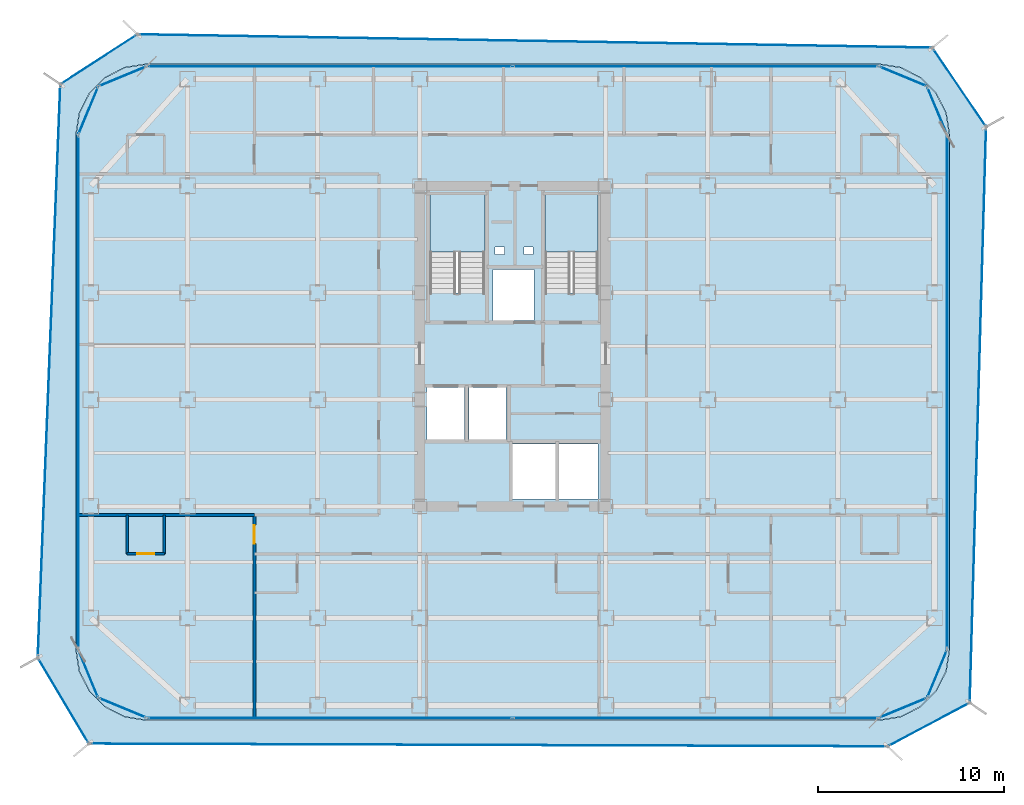
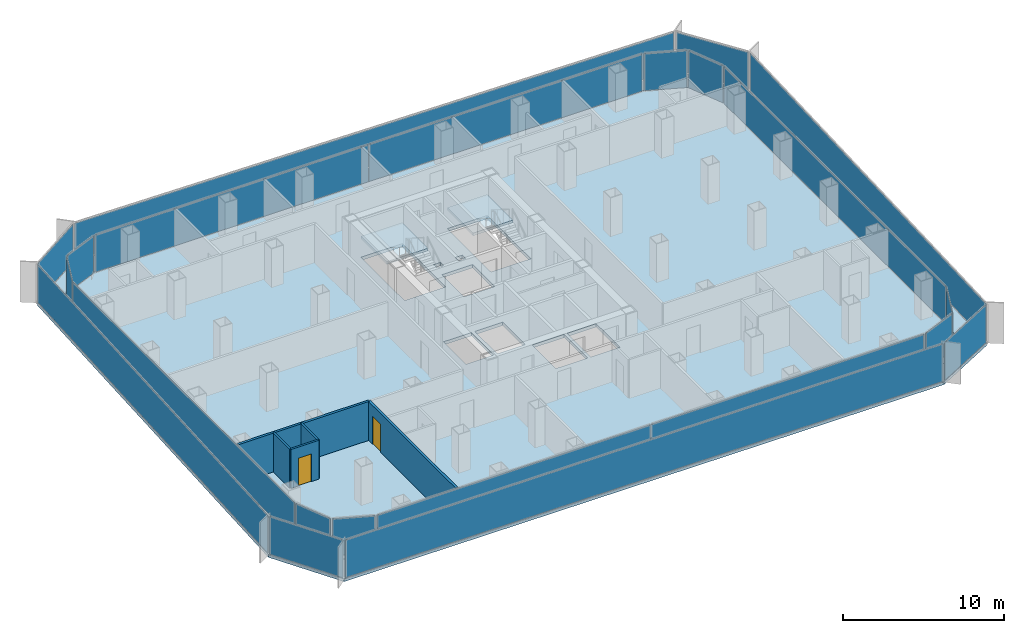
# One storey, part 15 of 21: 22 plates, 5 walls, 4 slabs, 2 doors, 2 openings, 22 elements without a shape of their own.
"""IFC4 building model written with IfcOpenShell, lengths in metres."""

from ifc_helpers import new_model, si_unit, direction, frame, frame_2d, origin, origin_2d, place, context, subcontext, project, spatial, polyline, rectangle, outline, extrude, source, transform, mapped, material, layer, layer_set, type_object, element, fill, aggregate, save


model = new_model("IFC4")

# Units and contexts
model_context = context("Model", 3, precision=1e-05, world=origin(), true_north=direction((0.0, 1.0)))
body_context = subcontext(model_context, "Body", "Model", "MODEL_VIEW")
ifc_project = project(units=[si_unit("LENGTHUNIT", "METRE"), si_unit("AREAUNIT", "SQUARE_METRE"), si_unit("VOLUMEUNIT", "CUBIC_METRE"), si_unit("PLANEANGLEUNIT", "RADIAN"), si_unit("MASSUNIT", "GRAM", prefix="KILO")], contexts=[model_context])

# Site, building, storey
site_placement = place(None, origin())
site = spatial("IfcSite", under=ifc_project, at=site_placement, CompositionType="ELEMENT")
building_placement = place(site_placement, origin())
building = spatial("IfcBuilding", under=site, at=building_placement, Name="Kolveth Station Tower", CompositionType="ELEMENT")
storey_placement = place(building_placement, frame((0.0, 0.0, 124.699951171875)))
storey = spatial("IfcBuildingStorey", under=building, at=storey_placement, Name="L34", CompositionType="ELEMENT", Elevation=124.699951171875)

# Slab
ifc_material_1 = material(Name="Concrete C40/50", Category="concrete")
ifc_layer_1 = layer(ifc_material_1, 0.25)
ifc_layer_set_1 = layer_set([ifc_layer_1], Name="Concrete C40/50")
slab_type_1 = type_object("IfcSlabType", Name="Slab_SF-250", PredefinedType="FLOOR", material=ifc_layer_set_1)
slab_1_placement = place(storey_placement, frame((0.0, 0.0, -0.25)))
element("IfcSlab", 1, at=slab_1_placement, inside=storey, type_object=slab_type_1, Name="L34 Tower Structural Floor Slab", PredefinedType="FLOOR", context=body_context, shape_type="SweptSolid", body=[
    extrude(outline(polyline([(43.199951171875, 0.0), (44.374267578125, 0.18603515625), (45.43359375, 0.7255859375), (46.2744140625, 1.56640625), (46.81396484375, 2.625732421875), (47.0, 3.800048828125), (47.0, 31.5), (46.81396484375, 32.67431640625), (46.2744140625, 33.733642578125), (45.43359375, 34.57421875), (44.374267578125, 35.114013671875), (43.199951171875, 35.300048828125), (3.800048828125, 35.300048828125), (2.625732421875, 35.114013671875), (1.56640625, 34.57421875), (0.7255859375, 33.733642578125), (0.18603515625, 32.67431640625), (0.0, 31.5), (0.0, 3.800048828125), (0.18603515625, 2.625732421875), (0.7255859375, 1.56640625), (1.56640625, 0.7255859375), (2.625732421875, 0.18603515625), (3.800048828125, 0.0), (43.199951171875, 0.0)]), holes=[polyline([(19.0400390625, 22.985107421875), (22.0, 22.985107421875), (22.0, 28.39990234375), (19.0400390625, 28.39990234375), (19.0400390625, 22.985107421875)]), polyline([(25.239990234375, 22.985107421875), (28.10009765625, 22.985107421875), (28.10009765625, 28.39990234375), (25.239990234375, 28.39990234375), (25.239990234375, 22.985107421875)]), polyline([(18.89990234375, 15.10009765625), (20.89990234375, 15.10009765625), (20.89990234375, 17.89990234375), (18.89990234375, 17.89990234375), (18.89990234375, 15.10009765625)]), polyline([(21.14990234375, 15.10009765625), (23.14990234375, 15.10009765625), (23.14990234375, 17.89990234375), (21.14990234375, 17.89990234375), (21.14990234375, 15.10009765625)]), polyline([(22.449951171875, 21.5), (24.64990234375, 21.5), (24.64990234375, 24.25), (22.449951171875, 24.25), (22.449951171875, 21.5)]), polyline([(23.5, 11.89990234375), (25.800048828125, 11.89990234375), (25.800048828125, 14.85009765625), (23.5, 14.85009765625), (23.5, 11.89990234375)]), polyline([(26.0, 11.89990234375), (28.10009765625, 11.89990234375), (28.10009765625, 14.85009765625), (26.0, 14.85009765625), (26.0, 11.89990234375)]), polyline([(22.550048828125, 25.050048828125), (23.050048828125, 25.050048828125), (23.050048828125, 25.449951171875), (22.550048828125, 25.449951171875), (22.550048828125, 25.050048828125)]), polyline([(24.10009765625, 25.050048828125), (24.60009765625, 25.050048828125), (24.60009765625, 25.449951171875), (24.10009765625, 25.449951171875), (24.10009765625, 25.050048828125)])]), origin(), (0.0, 0.0, 1.0), 0.25),
])

# Stair, slab
stair_type_1 = type_object("IfcStairType", Name="Stair_ST2", PredefinedType="HALF_TURN_STAIR", material=ifc_material_1)
stair_1_placement = place(storey_placement, origin())
stair_1 = element("IfcStair", 2, at=stair_1_placement, inside=storey, type_object=stair_type_1, Name="L34 Tower Exit Stair ST2", PredefinedType="HALF_TURN_STAIR")
ifc_layer_2 = layer(ifc_material_1, 0.18994140625)
ifc_layer_set_2 = layer_set([ifc_layer_2], Name="Concrete C40/50")
slab_type_2 = type_object("IfcSlabType", Name="Slab_SL-190", PredefinedType="LANDING", material=ifc_layer_set_2)
slab_2_placement = place(storey_placement, frame((0.0, 0.0, 1.400146484375)))
slab_2 = element("IfcSlab", 3, at=slab_2_placement, type_object=slab_type_2, Name="ST2 landing 1", PredefinedType="LANDING", context=body_context, shape_type="SweptSolid", body=[
    extrude(outline(polyline([(28.10009765625, 25.18994140625), (28.10009765625, 28.39990234375), (25.239990234375, 28.39990234375), (25.239990234375, 25.18994140625), (28.10009765625, 25.18994140625)])), origin(), (0.0, 0.0, 1.0), 0.199951171875),
])
aggregate(stair_1, [slab_2])

stair_type_2 = type_object("IfcStairType", Name="Stair_ST1", PredefinedType="HALF_TURN_STAIR", material=ifc_material_1)
stair_2_placement = place(storey_placement, origin())
stair_2 = element("IfcStair", 4, at=stair_2_placement, inside=storey, type_object=stair_type_2, Name="L34 Tower Exit Stair ST1", PredefinedType="HALF_TURN_STAIR")
ifc_layer_3 = layer(ifc_material_1, 0.205078125)
ifc_layer_set_3 = layer_set([ifc_layer_3], Name="Concrete C40/50")
slab_type_3 = type_object("IfcSlabType", Name="Slab_SL-205", PredefinedType="LANDING", material=ifc_layer_set_3)
slab_3_placement = place(storey_placement, frame((0.0, 0.0, 1.400146484375)))
slab_3 = element("IfcSlab", 5, at=slab_3_placement, type_object=slab_type_3, Name="ST1 landing 1", PredefinedType="LANDING", context=body_context, shape_type="SweptSolid", body=[
    extrude(outline(polyline([(22.0, 25.18994140625), (22.0, 28.39990234375), (19.0400390625, 28.39990234375), (19.0400390625, 25.18994140625), (22.0, 25.18994140625)])), origin(), (0.0, 0.0, 1.0), 0.199951171875),
])
aggregate(stair_2, [slab_3])

# Slab
ifc_layer_4 = layer(ifc_material_1, 0.2099609375)
ifc_layer_set_4 = layer_set([ifc_layer_4], Name="Concrete C40/50")
slab_type_4 = type_object("IfcSlabType", Name="Slab_ST-210", PredefinedType="FLOOR", material=ifc_layer_set_4)
slab_4_placement = place(storey_placement, frame((0.0, 0.0, -0.2099609375)))
element("IfcSlab", 6, at=slab_4_placement, inside=storey, type_object=slab_type_4, Name="L34 Double-Skin Cavity Structural Ledger Ring", PredefinedType="FLOOR", context=body_context, shape_type="SweptSolid", body=[
    extrude(outline(polyline([(0.694091796875, -1.26708984375), (-2.0556640625, 3.361572265625), (-0.840576171875, 34.2177734375), (3.30419921875, 36.903076171875), (46.089599609375, 36.187744140625), (48.978271484375, 31.9287109375), (48.09814453125, 0.93408203125), (43.672607421875, -1.414794921875), (0.694091796875, -1.26708984375)]), holes=[polyline([(43.202392578125, -0.014892578125), (44.376708984375, 0.171142578125), (44.381103515625, 0.172607421875), (45.4404296875, 0.71240234375), (45.444091796875, 0.715087890625), (46.284912109375, 1.555908203125), (46.28759765625, 1.5595703125), (46.827392578125, 2.618896484375), (46.828857421875, 2.623291015625), (47.014892578125, 3.797607421875), (47.014892578125, 3.800048828125), (47.014892578125, 31.5), (47.014892578125, 31.502197265625), (46.828857421875, 32.676513671875), (46.827392578125, 32.68115234375), (46.28759765625, 33.740478515625), (46.284912109375, 33.744140625), (45.444091796875, 34.5849609375), (45.4404296875, 34.587646484375), (44.381103515625, 35.12744140625), (44.376708984375, 35.12890625), (43.202392578125, 35.314697265625), (43.199951171875, 35.31494140625), (3.800048828125, 35.31494140625), (3.797607421875, 35.314697265625), (2.623291015625, 35.12890625), (2.618896484375, 35.12744140625), (1.5595703125, 34.587646484375), (1.555908203125, 34.5849609375), (0.715087890625, 33.744140625), (0.71240234375, 33.740478515625), (0.172607421875, 32.68115234375), (0.171142578125, 32.676513671875), (-0.014892578125, 31.502197265625), (-0.014892578125, 31.5), (-0.014892578125, 3.800048828125), (-0.014892578125, 3.797607421875), (0.171142578125, 2.623291015625), (0.172607421875, 2.618896484375), (0.71240234375, 1.5595703125), (0.715087890625, 1.555908203125), (1.555908203125, 0.715087890625), (1.5595703125, 0.71240234375), (2.618896484375, 0.172607421875), (2.623291015625, 0.171142578125), (3.797607421875, -0.014892578125), (3.800048828125, -0.014892578125), (43.199951171875, -0.014892578125), (43.202392578125, -0.014892578125)])]), origin(), (0.0, 0.0, 1.0), 0.2099609375),
])

# Curtain wall, plate
ifc_material_2 = material(Name="Aluminium 6063-T6 and low-E dark glass", Category="aluminium")
ifc_layer_5 = layer(ifc_material_2, 0.18994140625)
ifc_layer_set_5 = layer_set([ifc_layer_5], Name="Aluminium 6063-T6 and low-E dark glass")
curtain_wall_type_1 = type_object("IfcCurtainWallType", Name="CurtainWall_CW-Z2", PredefinedType="NOTDEFINED", material=ifc_layer_set_5)
curtain_wall_1_placement = place(storey_placement, origin())
curtain_wall_1 = element("IfcCurtainWall", 7, at=curtain_wall_1_placement, inside=storey, type_object=curtain_wall_type_1, Name="L34 Inner Thermal Curtain Wall 1", PredefinedType="NOTDEFINED")
ifc_material_3 = material(Name="Architectural low-E dark glass", Category="glass")
ifc_layer_6 = layer(ifc_material_3, 0.0380859375)
ifc_layer_set_6 = layer_set([ifc_layer_6], Name="Architectural low-E dark glass")
plate_type_1 = type_object("IfcPlateType", Name="Panel_GL2", PredefinedType="CURTAIN_PANEL", material=ifc_layer_set_6)
shared_shape_1 = source(origin(), body_context, "Body", "SweptSolid", [
    extrude(rectangle(XDim=2.670654296875, YDim=0.0380859375, at=origin_2d()), origin(), (0.0, 0.0, 1.0), 2.803955078125),
])
plate_1_placement = place(storey_placement, frame((44.501220703125, 0.658935546875, 0.0732421875), z_axis=(0.0, 0.0, 1.0), x_axis=(0.923887883787, 0.38266326998, 0.0)))
plate_1 = element("IfcPlate", 8, at=plate_1_placement, type_object=plate_type_1, Name="CW-Z2 panel 1.1", PredefinedType="CURTAIN_PANEL", context=body_context, shape_type="MappedRepresentation", body=[
    mapped(shared_shape_1, transform((0.0, 0.0, 0.0), x_axis=(1.0, 0.0, 0.0), y_axis=(0.0, 1.0, 0.0), z_axis=(0.0, 0.0, 1.0), scale=1.0)),
])
aggregate(curtain_wall_1, [plate_1])

curtain_wall_2_placement = place(storey_placement, origin())
curtain_wall_2 = element("IfcCurtainWall", 9, at=curtain_wall_2_placement, inside=storey, type_object=curtain_wall_type_1, Name="L34 Inner Thermal Curtain Wall 2", PredefinedType="NOTDEFINED")
plate_2_placement = place(storey_placement, frame((46.341064453125, 2.498779296875, 0.0732421875), z_axis=(0.0, 0.0, 1.0), x_axis=(0.38266326998, 0.923887883787, 0.0)))
plate_2 = element("IfcPlate", 10, at=plate_2_placement, type_object=plate_type_1, Name="CW-Z2 panel 1.1", PredefinedType="CURTAIN_PANEL", context=body_context, shape_type="MappedRepresentation", body=[
    mapped(shared_shape_1, transform((0.0, 0.0, 0.0), x_axis=(1.0, 0.0, 0.0), y_axis=(0.0, 1.0, 0.0), z_axis=(0.0, 0.0, 1.0), scale=1.0)),
])
aggregate(curtain_wall_2, [plate_2])

curtain_wall_3_placement = place(storey_placement, origin())
curtain_wall_3 = element("IfcCurtainWall", 11, at=curtain_wall_3_placement, inside=storey, type_object=curtain_wall_type_1, Name="L34 Inner Thermal Curtain Wall 4", PredefinedType="NOTDEFINED")
plate_3_placement = place(storey_placement, frame((46.341064453125, 32.801025390625, 0.0732421875), z_axis=(0.0, 0.0, 1.0), x_axis=(-0.38266326998, 0.923887883787, 0.0)))
plate_3 = element("IfcPlate", 12, at=plate_3_placement, type_object=plate_type_1, Name="CW-Z2 panel 1.1", PredefinedType="CURTAIN_PANEL", context=body_context, shape_type="MappedRepresentation", body=[
    mapped(shared_shape_1, transform((0.0, 0.0, 0.0), x_axis=(1.0, 0.0, 0.0), y_axis=(0.0, 1.0, 0.0), z_axis=(0.0, 0.0, 1.0), scale=1.0)),
])
aggregate(curtain_wall_3, [plate_3])

curtain_wall_4_placement = place(storey_placement, origin())
curtain_wall_4 = element("IfcCurtainWall", 13, at=curtain_wall_4_placement, inside=storey, type_object=curtain_wall_type_1, Name="L34 Inner Thermal Curtain Wall 5", PredefinedType="NOTDEFINED")
plate_4_placement = place(storey_placement, frame((44.501220703125, 34.64111328125, 0.0732421875), z_axis=(0.0, 0.0, 1.0), x_axis=(-0.923887883787, 0.38266326998, 0.0)))
plate_4 = element("IfcPlate", 14, at=plate_4_placement, type_object=plate_type_1, Name="CW-Z2 panel 1.1", PredefinedType="CURTAIN_PANEL", context=body_context, shape_type="MappedRepresentation", body=[
    mapped(shared_shape_1, transform((0.0, 0.0, 0.0), x_axis=(1.0, 0.0, 0.0), y_axis=(0.0, 1.0, 0.0), z_axis=(0.0, 0.0, 1.0), scale=1.0)),
])
aggregate(curtain_wall_4, [plate_4])

curtain_wall_5_placement = place(storey_placement, origin())
curtain_wall_5 = element("IfcCurtainWall", 15, at=curtain_wall_5_placement, inside=storey, type_object=curtain_wall_type_1, Name="L34 Inner Thermal Curtain Wall 7", PredefinedType="NOTDEFINED")
plate_5_placement = place(storey_placement, frame((2.498779296875, 34.64111328125, 0.0732421875), z_axis=(0.0, 0.0, 1.0), x_axis=(-0.923887883787, -0.38266326998, 0.0)))
plate_5 = element("IfcPlate", 16, at=plate_5_placement, type_object=plate_type_1, Name="CW-Z2 panel 1.1", PredefinedType="CURTAIN_PANEL", context=body_context, shape_type="MappedRepresentation", body=[
    mapped(shared_shape_1, transform((0.0, 0.0, 0.0), x_axis=(1.0, 0.0, 0.0), y_axis=(0.0, 1.0, 0.0), z_axis=(0.0, 0.0, 1.0), scale=1.0)),
])
aggregate(curtain_wall_5, [plate_5])

curtain_wall_6_placement = place(storey_placement, origin())
curtain_wall_6 = element("IfcCurtainWall", 17, at=curtain_wall_6_placement, inside=storey, type_object=curtain_wall_type_1, Name="L34 Inner Thermal Curtain Wall 8", PredefinedType="NOTDEFINED")
plate_6_placement = place(storey_placement, frame((0.658935546875, 32.801025390625, 0.0732421875), z_axis=(0.0, 0.0, 1.0), x_axis=(-0.38266326998, -0.923887883787, 0.0)))
plate_6 = element("IfcPlate", 18, at=plate_6_placement, type_object=plate_type_1, Name="CW-Z2 panel 1.1", PredefinedType="CURTAIN_PANEL", context=body_context, shape_type="MappedRepresentation", body=[
    mapped(shared_shape_1, transform((0.0, 0.0, 0.0), x_axis=(1.0, 0.0, 0.0), y_axis=(0.0, 1.0, 0.0), z_axis=(0.0, 0.0, 1.0), scale=1.0)),
])
aggregate(curtain_wall_6, [plate_6])

curtain_wall_7_placement = place(storey_placement, origin())
curtain_wall_7 = element("IfcCurtainWall", 19, at=curtain_wall_7_placement, inside=storey, type_object=curtain_wall_type_1, Name="L34 Inner Thermal Curtain Wall 10", PredefinedType="NOTDEFINED")
plate_7_placement = place(storey_placement, frame((0.658935546875, 2.498779296875, 0.0732421875), z_axis=(0.0, 0.0, 1.0), x_axis=(0.38266326998, -0.923887883787, 0.0)))
plate_7 = element("IfcPlate", 20, at=plate_7_placement, type_object=plate_type_1, Name="CW-Z2 panel 1.1", PredefinedType="CURTAIN_PANEL", context=body_context, shape_type="MappedRepresentation", body=[
    mapped(shared_shape_1, transform((0.0, 0.0, 0.0), x_axis=(1.0, 0.0, 0.0), y_axis=(0.0, 1.0, 0.0), z_axis=(0.0, 0.0, 1.0), scale=1.0)),
])
aggregate(curtain_wall_7, [plate_7])

curtain_wall_8_placement = place(storey_placement, origin())
curtain_wall_8 = element("IfcCurtainWall", 21, at=curtain_wall_8_placement, inside=storey, type_object=curtain_wall_type_1, Name="L34 Inner Thermal Curtain Wall 11", PredefinedType="NOTDEFINED")
plate_8_placement = place(storey_placement, frame((2.498779296875, 0.658935546875, 0.0732421875), z_axis=(0.0, 0.0, 1.0), x_axis=(0.923887883787, -0.38266326998, 0.0)))
plate_8 = element("IfcPlate", 22, at=plate_8_placement, type_object=plate_type_1, Name="CW-Z2 panel 1.1", PredefinedType="CURTAIN_PANEL", context=body_context, shape_type="MappedRepresentation", body=[
    mapped(shared_shape_1, transform((0.0, 0.0, 0.0), x_axis=(1.0, 0.0, 0.0), y_axis=(0.0, 1.0, 0.0), z_axis=(0.0, 0.0, 1.0), scale=1.0)),
])
aggregate(curtain_wall_8, [plate_8])

curtain_wall_9_placement = place(storey_placement, origin())
curtain_wall_9 = element("IfcCurtainWall", 23, at=curtain_wall_9_placement, inside=storey, type_object=curtain_wall_type_1, Name="L34 Inner Thermal Curtain Wall 3", PredefinedType="NOTDEFINED")
shared_shape_2 = source(origin(), body_context, "Body", "SweptSolid", [
    extrude(rectangle(XDim=27.553955078125, YDim=0.0380859375, at=origin_2d()), origin(), (0.0, 0.0, 1.0), 2.803955078125),
])
plate_9_placement = place(storey_placement, frame((46.8798828125, 17.64990234375, 0.0732421875), z_axis=(0.0, 0.0, 1.0), x_axis=(0.0, 1.0, 0.0)))
plate_9 = element("IfcPlate", 24, at=plate_9_placement, type_object=plate_type_1, Name="CW-Z2 panel 1.1", PredefinedType="CURTAIN_PANEL", context=body_context, shape_type="MappedRepresentation", body=[
    mapped(shared_shape_2, transform((0.0, 0.0, 0.0), x_axis=(1.0, 0.0, 0.0), y_axis=(0.0, 1.0, 0.0), z_axis=(0.0, 0.0, 1.0), scale=1.0)),
])
aggregate(curtain_wall_9, [plate_9])

curtain_wall_10_placement = place(storey_placement, origin())
curtain_wall_10 = element("IfcCurtainWall", 25, at=curtain_wall_10_placement, inside=storey, type_object=curtain_wall_type_1, Name="L34 Inner Thermal Curtain Wall 9", PredefinedType="NOTDEFINED")
plate_10_placement = place(storey_placement, frame((0.1201171875, 17.64990234375, 0.0732421875), z_axis=(0.0, 0.0, 1.0), x_axis=(0.0, -1.0, 0.0)))
plate_10 = element("IfcPlate", 26, at=plate_10_placement, type_object=plate_type_1, Name="CW-Z2 panel 1.1", PredefinedType="CURTAIN_PANEL", context=body_context, shape_type="MappedRepresentation", body=[
    mapped(shared_shape_2, transform((0.0, 0.0, 0.0), x_axis=(1.0, 0.0, 0.0), y_axis=(0.0, 1.0, 0.0), z_axis=(0.0, 0.0, 1.0), scale=1.0)),
])
aggregate(curtain_wall_10, [plate_10])

# Curtain wall, plates
curtain_wall_11_placement = place(storey_placement, origin())
curtain_wall_11 = element("IfcCurtainWall", 27, at=curtain_wall_11_placement, inside=storey, type_object=curtain_wall_type_1, Name="L34 Inner Thermal Curtain Wall 6", PredefinedType="NOTDEFINED")
shared_shape_3 = source(origin(), body_context, "Body", "SweptSolid", [
    extrude(rectangle(XDim=19.593994140625, YDim=0.0380859375, at=origin_2d()), origin(), (0.0, 0.0, 1.0), 2.803955078125),
])
plate_11_placement = place(storey_placement, frame((33.330078125, 35.179931640625, 0.0732421875), z_axis=(0.0, 0.0, 1.0), x_axis=(-1.0, 0.0, 0.0)))
plate_11 = element("IfcPlate", 28, at=plate_11_placement, type_object=plate_type_1, Name="CW-Z2 panel 1.1", PredefinedType="CURTAIN_PANEL", context=body_context, shape_type="MappedRepresentation", body=[
    mapped(shared_shape_3, transform((0.0, 0.0, 0.0), x_axis=(1.0, 0.0, 0.0), y_axis=(0.0, 1.0, 0.0), z_axis=(0.0, 0.0, 1.0), scale=1.0)),
])
plate_12_placement = place(storey_placement, frame((13.669921875, 35.179931640625, 0.0732421875), z_axis=(0.0, 0.0, 1.0), x_axis=(-1.0, 0.0, 0.0)))
plate_12 = element("IfcPlate", 29, at=plate_12_placement, type_object=plate_type_1, Name="CW-Z2 panel 2.1", PredefinedType="CURTAIN_PANEL", context=body_context, shape_type="MappedRepresentation", body=[
    mapped(shared_shape_3, transform((0.0, 0.0, 0.0), x_axis=(1.0, 0.0, 0.0), y_axis=(0.0, 1.0, 0.0), z_axis=(0.0, 0.0, 1.0), scale=1.0)),
])
aggregate(curtain_wall_11, [plate_11, plate_12])

curtain_wall_12_placement = place(storey_placement, origin())
curtain_wall_12 = element("IfcCurtainWall", 30, at=curtain_wall_12_placement, inside=storey, type_object=curtain_wall_type_1, Name="L34 Inner Thermal Curtain Wall 12", PredefinedType="NOTDEFINED")
plate_13_placement = place(storey_placement, frame((13.669921875, 0.1201171875, 0.0732421875), z_axis=(0.0, 0.0, 1.0), x_axis=(1.0, 0.0, 0.0)))
plate_13 = element("IfcPlate", 31, at=plate_13_placement, type_object=plate_type_1, Name="CW-Z2 panel 1.1", PredefinedType="CURTAIN_PANEL", context=body_context, shape_type="MappedRepresentation", body=[
    mapped(shared_shape_3, transform((0.0, 0.0, 0.0), x_axis=(1.0, 0.0, 0.0), y_axis=(0.0, 1.0, 0.0), z_axis=(0.0, 0.0, 1.0), scale=1.0)),
])
plate_14_placement = place(storey_placement, frame((33.330078125, 0.1201171875, 0.0732421875), z_axis=(0.0, 0.0, 1.0), x_axis=(1.0, 0.0, 0.0)))
plate_14 = element("IfcPlate", 32, at=plate_14_placement, type_object=plate_type_1, Name="CW-Z2 panel 2.1", PredefinedType="CURTAIN_PANEL", context=body_context, shape_type="MappedRepresentation", body=[
    mapped(shared_shape_3, transform((0.0, 0.0, 0.0), x_axis=(1.0, 0.0, 0.0), y_axis=(0.0, 1.0, 0.0), z_axis=(0.0, 0.0, 1.0), scale=1.0)),
])
aggregate(curtain_wall_12, [plate_13, plate_14])

# Curtain wall, plate
ifc_material_4 = material(Name="Black anodized aluminium 6063-T6 and dark solar glass", Category="aluminium")
ifc_layer_7 = layer(ifc_material_4, 0.159912109375)
ifc_layer_set_7 = layer_set([ifc_layer_7], Name="Black anodized aluminium 6063-T6 and dark solar glass")
curtain_wall_type_2 = type_object("IfcCurtainWallType", Name="OUTER SKIN CW-OS", PredefinedType="NOTDEFINED", material=ifc_layer_set_7)
curtain_wall_13_placement = place(storey_placement, origin())
curtain_wall_13 = element("IfcCurtainWall", 33, at=curtain_wall_13_placement, inside=storey, type_object=curtain_wall_type_2, Name="L34 Outer Ventilated Skin Curtain Wall 1", PredefinedType="NOTDEFINED")
ifc_layer_8 = layer(ifc_material_3, 0.028076171875)
ifc_layer_set_8 = layer_set([ifc_layer_8], Name="Architectural low-E dark glass")
plate_type_2 = type_object("IfcPlateType", Name="Panel_GL-OS", PredefinedType="CURTAIN_PANEL", material=ifc_layer_set_8)
shared_shape_4 = source(origin(), body_context, "Body", "SweptSolid", [
    extrude(rectangle(XDim=4.843994140625, YDim=0.028076171875, at=origin_2d()), origin(), (0.0, 0.0, 1.0), 2.843994140625),
])
plate_15_placement = place(storey_placement, frame((45.885498046875, -0.240234375, 0.0732421875), z_axis=(0.0, 0.0, 1.0), x_axis=(0.883297069421, 0.468813701968, 0.0)))
plate_15 = element("IfcPlate", 34, at=plate_15_placement, type_object=plate_type_2, Name="CW-OS panel 1.1", PredefinedType="CURTAIN_PANEL", context=body_context, shape_type="MappedRepresentation", body=[
    mapped(shared_shape_4, transform((0.0, 0.0, 0.0), x_axis=(1.0, 0.0, 0.0), y_axis=(0.0, 1.0, 0.0), z_axis=(0.0, 0.0, 1.0), scale=1.0)),
])
aggregate(curtain_wall_13, [plate_15])

curtain_wall_14_placement = place(storey_placement, origin())
curtain_wall_14 = element("IfcCurtainWall", 35, at=curtain_wall_14_placement, inside=storey, type_object=curtain_wall_type_2, Name="L34 Outer Ventilated Skin Curtain Wall 2", PredefinedType="NOTDEFINED")
shared_shape_5 = source(origin(), body_context, "Body", "SweptSolid", [
    extrude(rectangle(XDim=30.841064453125, YDim=0.028076171875, at=origin_2d()), origin(), (0.0, 0.0, 1.0), 2.843994140625),
])
plate_16_placement = place(storey_placement, frame((48.5380859375, 16.431396484375, 0.0732421875), z_axis=(0.0, 0.0, 1.0), x_axis=(0.028383828337, 0.999597097979, 0.0)))
plate_16 = element("IfcPlate", 36, at=plate_16_placement, type_object=plate_type_2, Name="CW-OS panel 1.1", PredefinedType="CURTAIN_PANEL", context=body_context, shape_type="MappedRepresentation", body=[
    mapped(shared_shape_5, transform((0.0, 0.0, 0.0), x_axis=(1.0, 0.0, 0.0), y_axis=(0.0, 1.0, 0.0), z_axis=(0.0, 0.0, 1.0), scale=1.0)),
])
aggregate(curtain_wall_14, [plate_16])

curtain_wall_15_placement = place(storey_placement, origin())
curtain_wall_15 = element("IfcCurtainWall", 37, at=curtain_wall_15_placement, inside=storey, type_object=curtain_wall_type_2, Name="L34 Outer Ventilated Skin Curtain Wall 3", PredefinedType="NOTDEFINED")
shared_shape_6 = source(origin(), body_context, "Body", "SweptSolid", [
    extrude(rectangle(XDim=4.980224609375, YDim=0.028076171875, at=origin_2d()), origin(), (0.0, 0.0, 1.0), 2.843994140625),
])
plate_17_placement = place(storey_placement, frame((47.533935546875, 34.05810546875, 0.0732421875), z_axis=(0.0, 0.0, 1.0), x_axis=(-0.561323685887, 0.827596350682, 0.0)))
plate_17 = element("IfcPlate", 38, at=plate_17_placement, type_object=plate_type_2, Name="CW-OS panel 1.1", PredefinedType="CURTAIN_PANEL", context=body_context, shape_type="MappedRepresentation", body=[
    mapped(shared_shape_6, transform((0.0, 0.0, 0.0), x_axis=(1.0, 0.0, 0.0), y_axis=(0.0, 1.0, 0.0), z_axis=(0.0, 0.0, 1.0), scale=1.0)),
])
aggregate(curtain_wall_15, [plate_17])

curtain_wall_16_placement = place(storey_placement, origin())
curtain_wall_16 = element("IfcCurtainWall", 39, at=curtain_wall_16_placement, inside=storey, type_object=curtain_wall_type_2, Name="L34 Outer Ventilated Skin Curtain Wall 4", PredefinedType="NOTDEFINED")
shared_shape_7 = source(origin(), body_context, "Body", "SweptSolid", [
    extrude(rectangle(XDim=42.62548828125, YDim=0.028076171875, at=origin_2d()), origin(), (0.0, 0.0, 1.0), 2.843994140625),
])
plate_18_placement = place(storey_placement, frame((24.69677734375, 36.54541015625, 0.0732421875), z_axis=(0.0, 0.0, 1.0), x_axis=(-0.99986027818, 0.016715983886, 0.0)))
plate_18 = element("IfcPlate", 40, at=plate_18_placement, type_object=plate_type_2, Name="CW-OS panel 1.1", PredefinedType="CURTAIN_PANEL", context=body_context, shape_type="MappedRepresentation", body=[
    mapped(shared_shape_7, transform((0.0, 0.0, 0.0), x_axis=(1.0, 0.0, 0.0), y_axis=(0.0, 1.0, 0.0), z_axis=(0.0, 0.0, 1.0), scale=1.0)),
])
aggregate(curtain_wall_16, [plate_18])

curtain_wall_17_placement = place(storey_placement, origin())
curtain_wall_17 = element("IfcCurtainWall", 41, at=curtain_wall_17_placement, inside=storey, type_object=curtain_wall_type_2, Name="L34 Outer Ventilated Skin Curtain Wall 5", PredefinedType="NOTDEFINED")
shared_shape_8 = source(origin(), body_context, "Body", "SweptSolid", [
    extrude(rectangle(XDim=4.772705078125, YDim=0.028076171875, at=origin_2d()), origin(), (0.0, 0.0, 1.0), 2.843994140625),
])
plate_19_placement = place(storey_placement, frame((1.231689453125, 35.560302734375, 0.0732421875), z_axis=(0.0, 0.0, 1.0), x_axis=(-0.839252749571, -0.543741503232, 0.0)))
plate_19 = element("IfcPlate", 42, at=plate_19_placement, type_object=plate_type_2, Name="CW-OS panel 1.1", PredefinedType="CURTAIN_PANEL", context=body_context, shape_type="MappedRepresentation", body=[
    mapped(shared_shape_8, transform((0.0, 0.0, 0.0), x_axis=(1.0, 0.0, 0.0), y_axis=(0.0, 1.0, 0.0), z_axis=(0.0, 0.0, 1.0), scale=1.0)),
])
aggregate(curtain_wall_17, [plate_19])

curtain_wall_18_placement = place(storey_placement, origin())
curtain_wall_18 = element("IfcCurtainWall", 43, at=curtain_wall_18_placement, inside=storey, type_object=curtain_wall_type_2, Name="L34 Outer Ventilated Skin Curtain Wall 6", PredefinedType="NOTDEFINED")
shared_shape_9 = source(origin(), body_context, "Body", "SweptSolid", [
    extrude(rectangle(XDim=30.714111328125, YDim=0.028076171875, at=origin_2d()), origin(), (0.0, 0.0, 1.0), 2.843994140625),
])
plate_20_placement = place(storey_placement, frame((-1.447998046875, 18.78955078125, 0.0732421875), z_axis=(0.0, 0.0, 1.0), x_axis=(-0.039345712495, -0.999225657651, 0.0)))
plate_20 = element("IfcPlate", 44, at=plate_20_placement, type_object=plate_type_2, Name="CW-OS panel 1.1", PredefinedType="CURTAIN_PANEL", context=body_context, shape_type="MappedRepresentation", body=[
    mapped(shared_shape_9, transform((0.0, 0.0, 0.0), x_axis=(1.0, 0.0, 0.0), y_axis=(0.0, 1.0, 0.0), z_axis=(0.0, 0.0, 1.0), scale=1.0)),
])
aggregate(curtain_wall_18, [plate_20])

curtain_wall_19_placement = place(storey_placement, origin())
curtain_wall_19 = element("IfcCurtainWall", 45, at=curtain_wall_19_placement, inside=storey, type_object=curtain_wall_type_2, Name="L34 Outer Ventilated Skin Curtain Wall 7", PredefinedType="NOTDEFINED")
shared_shape_10 = source(origin(), body_context, "Body", "SweptSolid", [
    extrude(rectangle(XDim=5.2177734375, YDim=0.028076171875, at=origin_2d()), origin(), (0.0, 0.0, 1.0), 2.843994140625),
])
plate_21_placement = place(storey_placement, frame((-0.680908203125, 1.047119140625, 0.0732421875), z_axis=(0.0, 0.0, 1.0), x_axis=(0.510726714047, -0.859743114865, 0.0)))
plate_21 = element("IfcPlate", 46, at=plate_21_placement, type_object=plate_type_2, Name="CW-OS panel 1.1", PredefinedType="CURTAIN_PANEL", context=body_context, shape_type="MappedRepresentation", body=[
    mapped(shared_shape_10, transform((0.0, 0.0, 0.0), x_axis=(1.0, 0.0, 0.0), y_axis=(0.0, 1.0, 0.0), z_axis=(0.0, 0.0, 1.0), scale=1.0)),
])
aggregate(curtain_wall_19, [plate_21])

curtain_wall_20_placement = place(storey_placement, origin())
curtain_wall_20 = element("IfcCurtainWall", 47, at=curtain_wall_20_placement, inside=storey, type_object=curtain_wall_type_2, Name="L34 Outer Ventilated Skin Curtain Wall 8", PredefinedType="NOTDEFINED")
shared_shape_11 = source(origin(), body_context, "Body", "SweptSolid", [
    extrude(rectangle(XDim=42.81298828125, YDim=0.028076171875, at=origin_2d()), origin(), (0.0, 0.0, 1.0), 2.843994140625),
])
plate_22_placement = place(storey_placement, frame((22.183349609375, -1.3408203125, 0.0732421875), z_axis=(0.0, 0.0, 1.0), x_axis=(0.999994102984, -0.003434239047, 0.0)))
plate_22 = element("IfcPlate", 48, at=plate_22_placement, type_object=plate_type_2, Name="CW-OS panel 1.1", PredefinedType="CURTAIN_PANEL", context=body_context, shape_type="MappedRepresentation", body=[
    mapped(shared_shape_11, transform((0.0, 0.0, 0.0), x_axis=(1.0, 0.0, 0.0), y_axis=(0.0, 1.0, 0.0), z_axis=(0.0, 0.0, 1.0), scale=1.0)),
])
aggregate(curtain_wall_20, [plate_22])

# Walls
ifc_material_5 = material(Name="Moisture-resistant gypsum partition")
ifc_layer_9 = layer(ifc_material_5, 0.135009765625)
ifc_layer_set_9 = layer_set([ifc_layer_9], Name="Moisture-resistant gypsum partition")
wall_type_1 = type_object("IfcWallType", Name="Wall_IW-135", PredefinedType="PARTITIONING", material=ifc_layer_set_9)
for number, where, z_axis, x_axis, name in (
    (49, (2.75, 8.949951171875, 0.0), (0.0, 0.0, 1.0), (0.0, 1.0, 0.0), "L34 Partition Wall WL-L34-WS1-BV1"),
    (50, (4.75, 8.949951171875, 0.0), (0.0, 0.0, 1.0), (0.0, 1.0, 0.0), "L34 Partition Wall WL-L34-WS1-BV2"),
):
    element("IfcWall", number, at=place(storey_placement, frame(where, z_axis=z_axis, x_axis=x_axis)), inside=storey, type_object=wall_type_1, Name=name, PredefinedType="PARTITIONING", context=body_context, shape_type="SweptSolid", body=[
        extrude(rectangle(XDim=2.10009765625, YDim=0.135009765625, at=frame_2d((1.050048828125, 0.0))), origin(), (0.0, 0.0, 1.0), 2.949951171875),
    ])

# Wall, opening, door
wall_1_placement = place(storey_placement, frame((2.75, 8.949951171875, 0.0), z_axis=(0.0, 0.0, 1.0), x_axis=(1.0, 0.0, 0.0)))
wall_1 = element("IfcWall", 51, at=wall_1_placement, inside=storey, type_object=wall_type_1, Name="L34 Partition Wall WL-L34-WS1-BH", PredefinedType="PARTITIONING", context=body_context, shape_type="SweptSolid", body=[
    extrude(rectangle(XDim=2.0, YDim=0.135009765625, at=frame_2d((1.0, 0.0))), origin(), (0.0, 0.0, 1.0), 2.949951171875),
])
opening_1_placement = place(wall_1_placement, frame((0.5400390625, 0.0, 0.0)))
opening_1 = element("IfcOpeningElement", 52, at=opening_1_placement, cuts=wall_1, Name="Opening ID2", PredefinedType="OPENING", context=body_context, shape_type="SweptSolid", body=[
    extrude(rectangle(XDim=0.919921875, YDim=2.10009765625, at=frame_2d((0.4599609375, 1.050048828125))), frame((0.0, 0.077392578125, 0.0), z_axis=(0.0, -1.0, 0.0), x_axis=(1.0, 0.0, 0.0)), (0.0, 0.0, 1.0), 0.155029296875),
])
ifc_material_6 = material(Name="Moisture-resistant hardwood leaf", Category="wood")
door_type_1 = type_object("IfcDoorType", Name="Door_ID2", OperationType="NOTDEFINED", PredefinedType="DOOR", material=ifc_material_6)
door_1_placement = place(opening_1_placement, origin())
door_1 = element("IfcDoor", 53, at=door_1_placement, inside=storey, type_object=door_type_1, Name="L34 Hotel Corner Suite WS1 En-Suite Door", OperationType="SINGLE_SWING_LEFT", OverallHeight=2.10009765625, OverallWidth=0.919921875, PredefinedType="DOOR", context=body_context, shape_type="SweptSolid", body=[
    extrude(rectangle(XDim=0.919921875, YDim=2.10009765625, at=frame_2d((0.4599609375, 1.050048828125))), frame((0.0, 0.02490234375, 0.0), z_axis=(0.0, -1.0, 0.0), x_axis=(1.0, 0.0, 0.0)), (0.0, 0.0, 1.0), 0.050048828125),
])
fill(opening_1, door_1)

ifc_material_7 = material(Name="Acoustic double-stud gypsum partition")
ifc_layer_10 = layer(ifc_material_7, 0.1650390625)
ifc_layer_set_10 = layer_set([ifc_layer_10], Name="Acoustic double-stud gypsum partition")
wall_type_2 = type_object("IfcWallType", Name="Wall_IW-165", PredefinedType="PARTITIONING", material=ifc_layer_set_10)
wall_2_placement = place(storey_placement, frame((9.60009765625, 0.159912109375, 0.0), z_axis=(0.0, 0.0, 1.0), x_axis=(0.0, 1.0, 0.0)))
wall_2 = element("IfcWall", 54, at=wall_2_placement, inside=storey, type_object=wall_type_2, Name="L34 Partition Wall WL-L34-END-WS", PredefinedType="PARTITIONING", context=body_context, shape_type="SweptSolid", body=[
    extrude(rectangle(XDim=10.89013671875, YDim=0.1650390625, at=frame_2d((5.445068359375, 0.0))), origin(), (0.0, 0.0, 1.0), 2.949951171875),
])
opening_2_placement = place(wall_2_placement, frame((9.340087890625, 0.0, 0.0)))
opening_2 = element("IfcOpeningElement", 55, at=opening_2_placement, cuts=wall_2, Name="Opening FD3", PredefinedType="OPENING", context=body_context, shape_type="SweptSolid", body=[
    extrude(rectangle(XDim=1.0, YDim=2.14990234375, at=frame_2d((0.5, 1.074951171875))), frame((0.0, 0.092529296875, 0.0), z_axis=(0.0, -1.0, 0.0), x_axis=(1.0, 0.0, 0.0)), (0.0, 0.0, 1.0), 0.18505859375),
])
ifc_material_8 = material(Name="Fire-rated hardwood leaf and aluminium frame", Category="wood")
door_type_2 = type_object("IfcDoorType", Name="Door_FD3", OperationType="NOTDEFINED", PredefinedType="DOOR", material=ifc_material_8)
door_2_placement = place(opening_2_placement, origin())
door_2 = element("IfcDoor", 56, at=door_2_placement, inside=storey, type_object=door_type_2, Name="L34 Hotel Corner Suite WS1 Entrance Door", OperationType="SINGLE_SWING_RIGHT", OverallHeight=2.14990234375, OverallWidth=1.0, PredefinedType="DOOR", context=body_context, shape_type="SweptSolid", body=[
    extrude(rectangle(XDim=1.0, YDim=2.14990234375, at=frame_2d((0.5, 1.074951171875))), frame((0.0, 0.02490234375, 0.0), z_axis=(0.0, -1.0, 0.0), x_axis=(1.0, 0.0, 0.0)), (0.0, 0.0, 1.0), 0.050048828125),
])
fill(opening_2, door_2)

# Wall
wall_3_placement = place(storey_placement, frame((0.159912109375, 11.050048828125, 0.0), z_axis=(0.0, 0.0, 1.0), x_axis=(1.0, 0.0, 0.0)))
element("IfcWall", 57, at=wall_3_placement, inside=storey, type_object=wall_type_2, Name="L34 Partition Wall WL-L34-WM1", PredefinedType="PARTITIONING", context=body_context, shape_type="SweptSolid", body=[
    extrude(rectangle(XDim=9.440185546875, YDim=0.1650390625, at=frame_2d((4.72021484375, 0.0))), origin(), (0.0, 0.0, 1.0), 2.949951171875),
])

save(model, "model.ifc")
